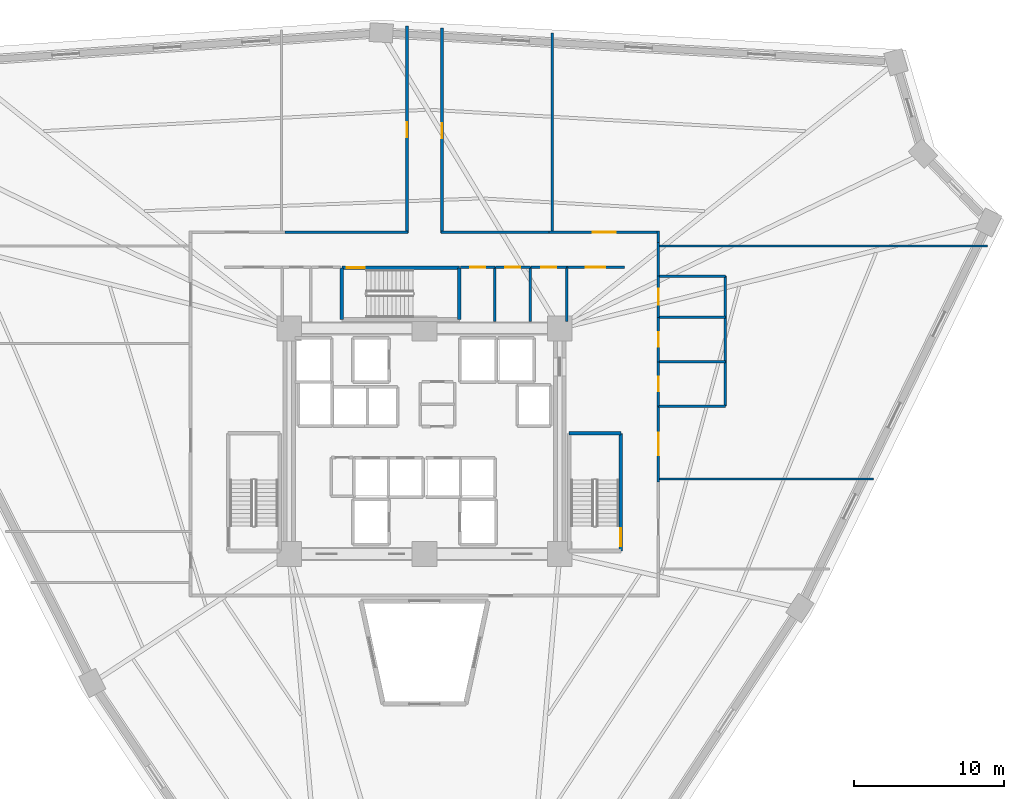
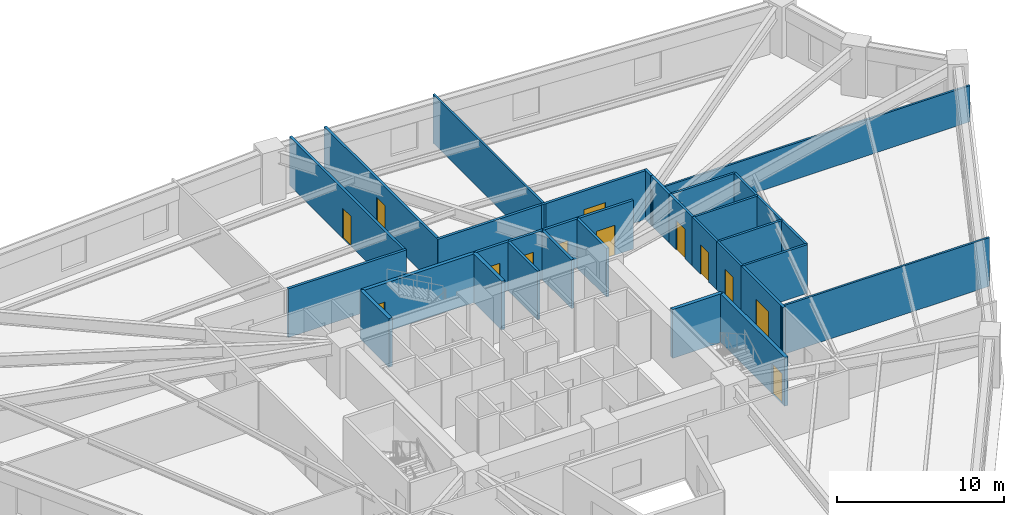
# One storey, part 6 of 8: 31 walls, 13 doors, 13 openings.
"""IFC4 building model written with IfcOpenShell, lengths in metres."""

from ifc_helpers import new_model, si_unit, direction, frame, frame_2d, origin, place, context, subcontext, project, spatial, rectangle, extrude, source, transform, mapped, material, layer, layer_set, type_object, element, fill, save


model = new_model("IFC4")

# Units and contexts
model_context = context("Model", 3, precision=1e-05, world=origin(), true_north=direction((0.0, 1.0)))
body_context = subcontext(model_context, "Body", "Model", "MODEL_VIEW")
ifc_project = project(units=[si_unit("LENGTHUNIT", "METRE"), si_unit("AREAUNIT", "SQUARE_METRE"), si_unit("VOLUMEUNIT", "CUBIC_METRE"), si_unit("PLANEANGLEUNIT", "RADIAN"), si_unit("MASSUNIT", "GRAM", prefix="KILO")], contexts=[model_context])

# Site, building, storey
site_placement = place(None, origin())
site = spatial("IfcSite", under=ifc_project, at=site_placement, CompositionType="ELEMENT")
building_placement = place(site_placement, origin())
building = spatial("IfcBuilding", under=site, at=building_placement, Name="Liaohun Quay Tower", CompositionType="ELEMENT")
storey_placement = place(building_placement, frame((0.0, 0.0, 85.5)))
storey = spatial("IfcBuildingStorey", under=building, at=storey_placement, Name="L22", CompositionType="ELEMENT", Elevation=85.5)

# Wall, opening, door
ifc_material_1 = material(Name="Autoclaved aerated concrete blockwork", Category="masonry")
ifc_layer_1 = layer(ifc_material_1, 0.179931640625, Name="Autoclaved aerated concrete blockwork", Category="masonry")
ifc_layer_set_1 = layer_set([ifc_layer_1], Name="Autoclaved aerated concrete blockwork")
wall_type_1 = type_object("IfcWallType", Name="WAL-PRT-COR", PredefinedType="PARTITIONING", material=ifc_layer_set_1)
wall_1_placement = place(storey_placement, frame((62.389892578125, 65.580078125, 0.0), z_axis=(0.0, 0.0, 1.0), x_axis=(1.0, 0.0, 0.0)))
wall_1 = element("IfcWall", 1, at=wall_1_placement, inside=storey, type_object=wall_type_1, Name="L22 Interior Partition Wall 009", PredefinedType="PARTITIONING", context=body_context, shape_type="SweptSolid", body=[
    extrude(rectangle(XDim=2.2900390625, YDim=0.179931640625, at=frame_2d((1.14501953125, 0.0))), origin(), (0.0, 0.0, 1.0), 3.570068359375),
])
shared_shape_1 = source(origin(), body_context, "Body", "SweptSolid", [
    extrude(rectangle(XDim=1.0, YDim=2.199951171875, at=frame_2d((0.5, 1.10009765625))), frame((0.0, 0.099853515625, 0.0), z_axis=(0.0, -1.0, 0.0), x_axis=(1.0, 0.0, 0.0)), (0.0, 0.0, 1.0), 0.199951171875),
])
opening_1_placement = place(wall_1_placement, frame((0.64501953125, 0.0, 0.0)))
opening_1 = element("IfcOpeningElement", 2, at=opening_1_placement, cuts=wall_1, Name="Opening OD1", PredefinedType="OPENING", context=body_context, shape_type="MappedRepresentation", body=[
    mapped(shared_shape_1, transform((0.0, 0.0, 0.0), x_axis=(1.0, 0.0, 0.0), y_axis=(0.0, 1.0, 0.0), z_axis=(0.0, 0.0, 1.0), scale=1.0)),
])
ifc_material_2 = material(Name="Solid-core oak veneer timber leaf in steel frame", Category="steel")
door_type_1 = type_object("IfcDoorType", Name="DOR-OFF-1000", OperationType="NOTDEFINED", PredefinedType="DOOR", material=ifc_material_2)
shared_shape_2 = source(origin(), body_context, "Body", "SweptSolid", [
    extrude(rectangle(XDim=1.0, YDim=2.199951171875, at=frame_2d((0.5, 1.10009765625))), frame((0.0, 0.02490234375, 0.0), z_axis=(0.0, -1.0, 0.0), x_axis=(1.0, 0.0, 0.0)), (0.0, 0.0, 1.0), 0.050048828125),
])
door_1_placement = place(opening_1_placement, origin())
door_1 = element("IfcDoor", 3, at=door_1_placement, inside=storey, type_object=door_type_1, Name="L22 North-East Mail Store Door", OperationType="SINGLE_SWING_LEFT", OverallHeight=2.199951171875, OverallWidth=1.0, PredefinedType="DOOR", context=body_context, shape_type="MappedRepresentation", body=[
    mapped(shared_shape_2, transform((0.0, 0.0, 0.0), x_axis=(1.0, 0.0, 0.0), y_axis=(0.0, 1.0, 0.0), z_axis=(0.0, 0.0, 1.0), scale=1.0)),
])
fill(opening_1, door_1)

wall_2_placement = place(storey_placement, frame((64.719970703125, 65.580078125, 0.0), z_axis=(0.0, 0.0, 1.0), x_axis=(1.0, 0.0, 0.0)))
wall_2 = element("IfcWall", 4, at=wall_2_placement, inside=storey, type_object=wall_type_1, Name="L22 Interior Partition Wall 010", PredefinedType="PARTITIONING", context=body_context, shape_type="SweptSolid", body=[
    extrude(rectangle(XDim=2.320068359375, YDim=0.179931640625, at=frame_2d((1.16015625, 0.0))), origin(), (0.0, 0.0, 1.0), 3.570068359375),
])
opening_2_placement = place(wall_2_placement, frame((0.659912109375, 0.0, 0.0)))
opening_2 = element("IfcOpeningElement", 5, at=opening_2_placement, cuts=wall_2, Name="Opening OD1", PredefinedType="OPENING", context=body_context, shape_type="MappedRepresentation", body=[
    mapped(shared_shape_1, transform((0.0, 0.0, 0.0), x_axis=(1.0, 0.0, 0.0), y_axis=(0.0, 1.0, 0.0), z_axis=(0.0, 0.0, 1.0), scale=1.0)),
])
door_2_placement = place(opening_2_placement, origin())
door_2 = element("IfcDoor", 6, at=door_2_placement, inside=storey, type_object=door_type_1, Name="L22 North-East Comms Room Door", OperationType="SINGLE_SWING_RIGHT", OverallHeight=2.199951171875, OverallWidth=1.0, PredefinedType="DOOR", context=body_context, shape_type="MappedRepresentation", body=[
    mapped(shared_shape_2, transform((0.0, 0.0, 0.0), x_axis=(1.0, 0.0, 0.0), y_axis=(0.0, 1.0, 0.0), z_axis=(0.0, 0.0, 1.0), scale=1.0)),
])
fill(opening_2, door_2)

wall_3_placement = place(storey_placement, frame((67.080078125, 65.580078125, 0.0), z_axis=(0.0, 0.0, 1.0), x_axis=(1.0, 0.0, 0.0)))
wall_3 = element("IfcWall", 7, at=wall_3_placement, inside=storey, type_object=wall_type_1, Name="L22 Interior Partition Wall 011", PredefinedType="PARTITIONING", context=body_context, shape_type="SweptSolid", body=[
    extrude(rectangle(XDim=2.3798828125, YDim=0.179931640625, at=frame_2d((1.18994140625, 0.0))), origin(), (0.0, 0.0, 1.0), 3.570068359375),
])
opening_3_placement = place(wall_3_placement, frame((0.68994140625, 0.0, 0.0)))
opening_3 = element("IfcOpeningElement", 8, at=opening_3_placement, cuts=wall_3, Name="Opening OD1", PredefinedType="OPENING", context=body_context, shape_type="MappedRepresentation", body=[
    mapped(shared_shape_1, transform((0.0, 0.0, 0.0), x_axis=(1.0, 0.0, 0.0), y_axis=(0.0, 1.0, 0.0), z_axis=(0.0, 0.0, 1.0), scale=1.0)),
])
door_3_placement = place(opening_3_placement, origin())
door_3 = element("IfcDoor", 9, at=door_3_placement, inside=storey, type_object=door_type_1, Name="L22 North-East Cleaner Store Door", OperationType="SINGLE_SWING_LEFT", OverallHeight=2.199951171875, OverallWidth=1.0, PredefinedType="DOOR", context=body_context, shape_type="MappedRepresentation", body=[
    mapped(shared_shape_2, transform((0.0, 0.0, 0.0), x_axis=(1.0, 0.0, 0.0), y_axis=(0.0, 1.0, 0.0), z_axis=(0.0, 0.0, 1.0), scale=1.0)),
])
fill(opening_3, door_3)

wall_4_placement = place(storey_placement, frame((69.4599609375, 65.580078125, 0.0), z_axis=(0.0, 0.0, 1.0), x_axis=(1.0, 0.0, 0.0)))
wall_4 = element("IfcWall", 10, at=wall_4_placement, inside=storey, type_object=wall_type_1, Name="L22 Interior Partition Wall 013", PredefinedType="PARTITIONING", context=body_context, shape_type="SweptSolid", body=[
    extrude(rectangle(XDim=3.840087890625, YDim=0.179931640625, at=frame_2d((1.919921875, 0.0))), origin(), (0.0, 0.0, 1.0), 3.570068359375),
])
shared_shape_3 = source(origin(), body_context, "Body", "SweptSolid", [
    extrude(rectangle(XDim=1.300048828125, YDim=2.199951171875, at=frame_2d((0.64990234375, 1.10009765625))), frame((0.0, 0.099853515625, 0.0), z_axis=(0.0, -1.0, 0.0), x_axis=(1.0, 0.0, 0.0)), (0.0, 0.0, 1.0), 0.199951171875),
])
opening_4_placement = place(wall_4_placement, frame((1.27001953125, 0.0, 0.0)))
opening_4 = element("IfcOpeningElement", 11, at=opening_4_placement, cuts=wall_4, Name="Opening FD1", PredefinedType="OPENING", context=body_context, shape_type="MappedRepresentation", body=[
    mapped(shared_shape_3, transform((0.0, 0.0, 0.0), x_axis=(1.0, 0.0, 0.0), y_axis=(0.0, 1.0, 0.0), z_axis=(0.0, 0.0, 1.0), scale=1.0)),
])
ifc_material_3 = material(Name="Galvanised steel smokeproof fire door", Category="steel")
door_type_2 = type_object("IfcDoorType", Name="DOR-FFL-1300", OperationType="NOTDEFINED", PredefinedType="DOOR", material=ifc_material_3)
shared_shape_4 = source(origin(), body_context, "Body", "SweptSolid", [
    extrude(rectangle(XDim=1.300048828125, YDim=2.199951171875, at=frame_2d((0.64990234375, 1.10009765625))), frame((0.0, 0.02490234375, 0.0), z_axis=(0.0, -1.0, 0.0), x_axis=(1.0, 0.0, 0.0)), (0.0, 0.0, 1.0), 0.050048828125),
])
door_4_placement = place(opening_4_placement, origin())
door_4 = element("IfcDoor", 12, at=door_4_placement, inside=storey, type_object=door_type_2, Name="L22 East Core Vestibule Door", OperationType="SINGLE_SWING_LEFT", OverallHeight=2.199951171875, OverallWidth=1.300048828125, PredefinedType="DOOR", context=body_context, shape_type="MappedRepresentation", body=[
    mapped(shared_shape_4, transform((0.0, 0.0, 0.0), x_axis=(1.0, 0.0, 0.0), y_axis=(0.0, 1.0, 0.0), z_axis=(0.0, 0.0, 1.0), scale=1.0)),
])
fill(opening_4, door_4)

wall_5_placement = place(storey_placement, frame((75.56005859375, 56.340087890625, 0.0), z_axis=(0.0, 0.0, 1.0), x_axis=(0.0, -1.0, 0.0)))
wall_5 = element("IfcWall", 13, at=wall_5_placement, inside=storey, type_object=wall_type_1, Name="L22 Interior Partition Wall 014", PredefinedType="PARTITIONING", context=body_context, shape_type="SweptSolid", body=[
    extrude(rectangle(XDim=5.05517578125, YDim=0.179931640625, at=frame_2d((2.527587890625, 0.0))), origin(), (0.0, 0.0, 1.0), 3.570068359375),
])
shared_shape_5 = source(origin(), body_context, "Body", "SweptSolid", [
    extrude(rectangle(XDim=1.5, YDim=2.199951171875, at=frame_2d((0.75, 1.10009765625))), frame((0.0, 0.099853515625, 0.0), z_axis=(0.0, -1.0, 0.0), x_axis=(1.0, 0.0, 0.0)), (0.0, 0.0, 1.0), 0.199951171875),
])
opening_5_placement = place(wall_5_placement, frame((1.778076171875, 0.0, 0.0)))
opening_5 = element("IfcOpeningElement", 14, at=opening_5_placement, cuts=wall_5, Name="Opening OD2", PredefinedType="OPENING", context=body_context, shape_type="MappedRepresentation", body=[
    mapped(shared_shape_5, transform((0.0, 0.0, 0.0), x_axis=(1.0, 0.0, 0.0), y_axis=(0.0, 1.0, 0.0), z_axis=(0.0, 0.0, 1.0), scale=1.0)),
])
ifc_material_4 = material(Name="Acoustic oak veneer double door")
door_type_3 = type_object("IfcDoorType", Name="DOR-OFF-1500", OperationType="DOUBLE_DOOR_SINGLE_SWING", PredefinedType="DOOR", material=ifc_material_4)
shared_shape_6 = source(origin(), body_context, "Body", "SweptSolid", [
    extrude(rectangle(XDim=1.5, YDim=2.199951171875, at=frame_2d((0.75, 1.10009765625))), frame((0.0, 0.02490234375, 0.0), z_axis=(0.0, -1.0, 0.0), x_axis=(1.0, 0.0, 0.0)), (0.0, 0.0, 1.0), 0.050048828125),
])
door_5_placement = place(opening_5_placement, origin())
door_5 = element("IfcDoor", 15, at=door_5_placement, inside=storey, type_object=door_type_3, Name="L22 Architectural Design Studio 01 Door", OperationType="DOUBLE_DOOR_SINGLE_SWING", OverallHeight=2.199951171875, OverallWidth=1.5, PredefinedType="DOOR", context=body_context, shape_type="MappedRepresentation", body=[
    mapped(shared_shape_6, transform((0.0, 0.0, 0.0), x_axis=(1.0, 0.0, 0.0), y_axis=(0.0, 1.0, 0.0), z_axis=(0.0, 0.0, 1.0), scale=1.0)),
])
fill(opening_5, door_5)

wall_6_placement = place(storey_placement, frame((68.284912109375, 67.909912109375, 0.0), z_axis=(0.0, 0.0, 1.0), x_axis=(1.0, 0.0, 0.0)))
wall_6 = element("IfcWall", 16, at=wall_6_placement, inside=storey, type_object=wall_type_1, Name="L22 Interior Partition Wall 015", PredefinedType="PARTITIONING", context=body_context, shape_type="SweptSolid", body=[
    extrude(rectangle(XDim=7.344970703125, YDim=0.179931640625, at=frame_2d((3.67236328125, 0.0))), origin(), (0.0, 0.0, 1.0), 3.570068359375),
])
opening_6_placement = place(wall_6_placement, frame((2.922119140625, 0.0, 0.0)))
opening_6 = element("IfcOpeningElement", 17, at=opening_6_placement, cuts=wall_6, Name="Opening OD2", PredefinedType="OPENING", context=body_context, shape_type="MappedRepresentation", body=[
    mapped(shared_shape_5, transform((0.0, 0.0, 0.0), x_axis=(1.0, 0.0, 0.0), y_axis=(0.0, 1.0, 0.0), z_axis=(0.0, 0.0, 1.0), scale=1.0)),
])
door_6_placement = place(opening_6_placement, origin())
door_6 = element("IfcDoor", 18, at=door_6_placement, inside=storey, type_object=door_type_3, Name="L22 Client Collaboration Lounge 02 Door", OperationType="DOUBLE_DOOR_SINGLE_SWING", OverallHeight=2.199951171875, OverallWidth=1.5, PredefinedType="DOOR", context=body_context, shape_type="MappedRepresentation", body=[
    mapped(shared_shape_6, transform((0.0, 0.0, 0.0), x_axis=(1.0, 0.0, 0.0), y_axis=(0.0, 1.0, 0.0), z_axis=(0.0, 0.0, 1.0), scale=1.0)),
])
fill(opening_6, door_6)

wall_7_placement = place(storey_placement, frame((61.159912109375, 81.47900390625, 0.0), z_axis=(0.0, 0.0, 1.0), x_axis=(0.0, -1.0, 0.0)))
wall_7 = element("IfcWall", 19, at=wall_7_placement, inside=storey, type_object=wall_type_1, Name="L22 Interior Partition Wall 016", PredefinedType="PARTITIONING", context=body_context, shape_type="SweptSolid", body=[
    extrude(rectangle(XDim=13.638916015625, YDim=0.179931640625, at=frame_2d((6.8193359375, 0.0))), origin(), (0.0, 0.0, 1.0), 3.570068359375),
])
opening_7_placement = place(wall_7_placement, frame((6.319091796875, 0.0, 0.0)))
opening_7 = element("IfcOpeningElement", 20, at=opening_7_placement, cuts=wall_7, Name="Opening OD1", PredefinedType="OPENING", context=body_context, shape_type="MappedRepresentation", body=[
    mapped(shared_shape_1, transform((0.0, 0.0, 0.0), x_axis=(1.0, 0.0, 0.0), y_axis=(0.0, 1.0, 0.0), z_axis=(0.0, 0.0, 1.0), scale=1.0)),
])
door_7_placement = place(opening_7_placement, origin())
door_7 = element("IfcDoor", 21, at=door_7_placement, inside=storey, type_object=door_type_1, Name="L22 Architectural Design Studio 03 Door", OperationType="SINGLE_SWING_RIGHT", OverallHeight=2.199951171875, OverallWidth=1.0, PredefinedType="DOOR", context=body_context, shape_type="MappedRepresentation", body=[
    mapped(shared_shape_2, transform((0.0, 0.0, 0.0), x_axis=(1.0, 0.0, 0.0), y_axis=(0.0, 1.0, 0.0), z_axis=(0.0, 0.0, 1.0), scale=1.0)),
])
fill(opening_7, door_7)

wall_8_placement = place(storey_placement, frame((58.840087890625, 67.840087890625, 0.0), z_axis=(0.0, 0.0, 1.0), x_axis=(0.0, 1.0, 0.0)))
wall_8 = element("IfcWall", 22, at=wall_8_placement, inside=storey, type_object=wall_type_1, Name="L22 Interior Partition Wall 017", PredefinedType="PARTITIONING", context=body_context, shape_type="SweptSolid", body=[
    extrude(rectangle(XDim=13.77099609375, YDim=0.179931640625, at=frame_2d((6.885498046875, 0.0))), origin(), (0.0, 0.0, 1.0), 3.570068359375),
])
opening_8_placement = place(wall_8_placement, frame((6.385986328125, 0.0, 0.0)))
opening_8 = element("IfcOpeningElement", 23, at=opening_8_placement, cuts=wall_8, Name="Opening OD1", PredefinedType="OPENING", context=body_context, shape_type="MappedRepresentation", body=[
    mapped(shared_shape_1, transform((0.0, 0.0, 0.0), x_axis=(1.0, 0.0, 0.0), y_axis=(0.0, 1.0, 0.0), z_axis=(0.0, 0.0, 1.0), scale=1.0)),
])
door_8_placement = place(opening_8_placement, origin())
door_8 = element("IfcDoor", 24, at=door_8_placement, inside=storey, type_object=door_type_1, Name="L22 Project Collaboration Studio 04 Door", OperationType="SINGLE_SWING_LEFT", OverallHeight=2.199951171875, OverallWidth=1.0, PredefinedType="DOOR", context=body_context, shape_type="MappedRepresentation", body=[
    mapped(shared_shape_2, transform((0.0, 0.0, 0.0), x_axis=(1.0, 0.0, 0.0), y_axis=(0.0, 1.0, 0.0), z_axis=(0.0, 0.0, 1.0), scale=1.0)),
])
fill(opening_8, door_8)

# Walls
for number, where, z_axis, x_axis, name in (
    (25, (64.679931640625, 61.949951171875, 0.0), (0.0, 0.0, 1.0), (0.0, 1.0, 0.0), "L22 Interior Partition Wall 036"),
    (26, (67.0400390625, 61.949951171875, 0.0), (0.0, 0.0, 1.0), (0.0, 1.0, 0.0), "L22 Interior Partition Wall 037"),
    (27, (69.4599609375, 61.949951171875, 0.0), (0.0, 0.0, 1.0), (0.0, 1.0, 0.0), "L22 Interior Partition Wall 038"),
):
    element("IfcWall", number, at=place(storey_placement, frame(where, z_axis=z_axis, x_axis=x_axis)), inside=storey, type_object=wall_type_1, Name=name, PredefinedType="PARTITIONING", context=body_context, shape_type="SweptSolid", body=[
        extrude(rectangle(XDim=3.630126953125, YDim=0.179931640625, at=frame_2d((1.81494140625, 0.0))), origin(), (0.0, 0.0, 1.0), 3.570068359375),
    ])
wall_9_placement = place(storey_placement, frame((75.56005859375, 67.215087890625, 0.0), z_axis=(0.0, 0.0, 1.0), x_axis=(0.0, -1.0, 0.0)))
element("IfcWall", 28, at=wall_9_placement, inside=storey, type_object=wall_type_1, Name="L22 Interior Partition Wall 039", PredefinedType="PARTITIONING", context=body_context, shape_type="SweptSolid", body=[
    extrude(rectangle(XDim=2.235107421875, YDim=0.179931640625, at=frame_2d((1.11767578125, 0.0))), origin(), (0.0, 0.0, 1.0), 3.570068359375),
])
wall_10_placement = place(storey_placement, frame((75.56005859375, 67.97998046875, 0.0), z_axis=(0.0, 0.0, 1.0), x_axis=(0.0, -1.0, 0.0)))
element("IfcWall", 29, at=wall_10_placement, inside=storey, type_object=wall_type_1, Name="L22 Interior Partition Wall 040", PredefinedType="PARTITIONING", context=body_context, shape_type="SweptSolid", body=[
    extrude(rectangle(XDim=0.764892578125, YDim=0.179931640625, at=frame_2d((0.38232421875, 0.0))), origin(), (0.0, 0.0, 1.0), 3.570068359375),
])
wall_11_placement = place(storey_placement, frame((61.090087890625, 67.909912109375, 0.0), z_axis=(0.0, 0.0, 1.0), x_axis=(1.0, 0.0, 0.0)))
element("IfcWall", 30, at=wall_11_placement, inside=storey, type_object=wall_type_1, Name="L22 Interior Partition Wall 041", PredefinedType="PARTITIONING", context=body_context, shape_type="SweptSolid", body=[
    extrude(rectangle(XDim=7.19482421875, YDim=0.179931640625, at=frame_2d((3.597412109375, 0.0))), origin(), (0.0, 0.0, 1.0), 3.570068359375),
])
wall_12_placement = place(storey_placement, frame((50.715087890625, 67.909912109375, 0.0), z_axis=(0.0, 0.0, 1.0), x_axis=(1.0, 0.0, 0.0)))
element("IfcWall", 31, at=wall_12_placement, inside=storey, type_object=wall_type_1, Name="L22 Interior Partition Wall 042", PredefinedType="PARTITIONING", context=body_context, shape_type="SweptSolid", body=[
    extrude(rectangle(XDim=8.19482421875, YDim=0.179931640625, at=frame_2d((4.097412109375, 0.0))), origin(), (0.0, 0.0, 1.0), 3.570068359375),
])
ifc_material_5 = material(Name="Gypsum board on twin steel studs", Category="steel")
ifc_layer_2 = layer(ifc_material_5, 0.139892578125, Name="Gypsum board on twin steel studs", Category="steel")
ifc_layer_set_2 = layer_set([ifc_layer_2], Name="Gypsum board on twin steel studs")
wall_type_2 = type_object("IfcWallType", Name="WAL-PRT-OFF", PredefinedType="PARTITIONING", material=ifc_layer_set_2)
wall_13_placement = place(storey_placement, frame((75.4599609375, 51.5, 0.0), z_axis=(0.0, 0.0, 1.0), x_axis=(1.0, 0.0, 0.0)))
element("IfcWall", 32, at=wall_13_placement, inside=storey, type_object=wall_type_2, Name="L22 Interior Partition Wall 051", PredefinedType="PARTITIONING", context=body_context, shape_type="SweptSolid", body=[
    extrude(rectangle(XDim=14.4169921875, YDim=0.139892578125, at=frame_2d((7.20849609375, 0.0))), origin(), (0.0, 0.0, 1.0), 3.570068359375),
])
wall_14_placement = place(storey_placement, frame((75.4599609375, 67.0, 0.0), z_axis=(0.0, 0.0, 1.0), x_axis=(1.0, 0.0, 0.0)))
element("IfcWall", 33, at=wall_14_placement, inside=storey, type_object=wall_type_2, Name="L22 Interior Partition Wall 052", PredefinedType="PARTITIONING", context=body_context, shape_type="SweptSolid", body=[
    extrude(rectangle(XDim=22.008056640625, YDim=0.139892578125, at=frame_2d((11.00390625, 0.0))), origin(), (0.0, 0.0, 1.0), 2.655029296875),
])
wall_15_placement = place(storey_placement, frame((68.5, 67.81005859375, 0.0), z_axis=(0.0, 0.0, 1.0), x_axis=(0.0, 1.0, 0.0)))
element("IfcWall", 34, at=wall_15_placement, inside=storey, type_object=wall_type_2, Name="L22 Interior Partition Wall 054", PredefinedType="PARTITIONING", context=body_context, shape_type="SweptSolid", body=[
    extrude(rectangle(XDim=13.3408203125, YDim=0.139892578125, at=frame_2d((6.67041015625, 0.0))), origin(), (0.0, 0.0, 1.0), 3.570068359375),
])

# Wall, opening, door
ifc_material_6 = material(Name="Moisture-resistant masonry blockwork", Category="masonry")
ifc_layer_3 = layer(ifc_material_6, 0.159912109375, Name="Moisture-resistant masonry blockwork", Category="masonry")
ifc_layer_set_3 = layer_set([ifc_layer_3], Name="Moisture-resistant masonry blockwork")
wall_type_3 = type_object("IfcWallType", Name="WAL-PRT-WET", PredefinedType="PARTITIONING", material=ifc_layer_set_3)
wall_16_placement = place(storey_placement, frame((75.56005859375, 56.340087890625, 0.0), z_axis=(0.0, 0.0, 1.0), x_axis=(0.0, 1.0, 0.0)))
wall_16 = element("IfcWall", 35, at=wall_16_placement, inside=storey, type_object=wall_type_3, Name="L22 Interior Partition Wall 004", PredefinedType="PARTITIONING", context=body_context, shape_type="SweptSolid", body=[
    extrude(rectangle(XDim=2.93994140625, YDim=0.159912109375, at=frame_2d((1.469970703125, 0.0))), origin(), (0.0, 0.0, 1.0), 3.570068359375),
])
shared_shape_7 = source(origin(), body_context, "Body", "SweptSolid", [
    extrude(rectangle(XDim=0.949951171875, YDim=2.14990234375, at=frame_2d((0.47509765625, 1.074951171875))), frame((0.0, 0.08984375, 0.0), z_axis=(0.0, -1.0, 0.0), x_axis=(1.0, 0.0, 0.0)), (0.0, 0.0, 1.0), 0.179931640625),
])
opening_9_placement = place(wall_16_placement, frame((0.9951171875, 0.0, 0.0)))
opening_9 = element("IfcOpeningElement", 36, at=opening_9_placement, cuts=wall_16, Name="Opening WD1", PredefinedType="OPENING", context=body_context, shape_type="MappedRepresentation", body=[
    mapped(shared_shape_7, transform((0.0, 0.0, 0.0), x_axis=(1.0, 0.0, 0.0), y_axis=(0.0, 1.0, 0.0), z_axis=(0.0, 0.0, 1.0), scale=1.0)),
])
ifc_material_7 = material(Name="Moisture-resistant laminate timber leaf", Category="wood")
door_type_4 = type_object("IfcDoorType", Name="DOR-WC-950", OperationType="NOTDEFINED", PredefinedType="DOOR", material=ifc_material_7)
shared_shape_8 = source(origin(), body_context, "Body", "SweptSolid", [
    extrude(rectangle(XDim=0.949951171875, YDim=2.14990234375, at=frame_2d((0.47509765625, 1.074951171875))), frame((0.0, 0.02490234375, 0.0), z_axis=(0.0, -1.0, 0.0), x_axis=(1.0, 0.0, 0.0)), (0.0, 0.0, 1.0), 0.050048828125),
])
door_9_placement = place(opening_9_placement, origin())
door_9 = element("IfcDoor", 37, at=door_9_placement, inside=storey, type_object=door_type_4, Name="L22 Male Restroom WC Door", OperationType="SINGLE_SWING_RIGHT", OverallHeight=2.14990234375, OverallWidth=0.949951171875, PredefinedType="DOOR", context=body_context, shape_type="MappedRepresentation", body=[
    mapped(shared_shape_8, transform((0.0, 0.0, 0.0), x_axis=(1.0, 0.0, 0.0), y_axis=(0.0, 1.0, 0.0), z_axis=(0.0, 0.0, 1.0), scale=1.0)),
])
fill(opening_9, door_9)

wall_17_placement = place(storey_placement, frame((75.56005859375, 59.280029296875, 0.0), z_axis=(0.0, 0.0, 1.0), x_axis=(0.0, 1.0, 0.0)))
wall_17 = element("IfcWall", 38, at=wall_17_placement, inside=storey, type_object=wall_type_3, Name="L22 Interior Partition Wall 005", PredefinedType="PARTITIONING", context=body_context, shape_type="SweptSolid", body=[
    extrude(rectangle(XDim=2.9599609375, YDim=0.159912109375, at=frame_2d((1.47998046875, 0.0))), origin(), (0.0, 0.0, 1.0), 3.570068359375),
])
opening_10_placement = place(wall_17_placement, frame((1.0048828125, 0.0, 0.0)))
opening_10 = element("IfcOpeningElement", 39, at=opening_10_placement, cuts=wall_17, Name="Opening WD1", PredefinedType="OPENING", context=body_context, shape_type="MappedRepresentation", body=[
    mapped(shared_shape_7, transform((0.0, 0.0, 0.0), x_axis=(1.0, 0.0, 0.0), y_axis=(0.0, 1.0, 0.0), z_axis=(0.0, 0.0, 1.0), scale=1.0)),
])
door_10_placement = place(opening_10_placement, origin())
door_10 = element("IfcDoor", 40, at=door_10_placement, inside=storey, type_object=door_type_4, Name="L22 Female Restroom WC Door", OperationType="SINGLE_SWING_LEFT", OverallHeight=2.14990234375, OverallWidth=0.949951171875, PredefinedType="DOOR", context=body_context, shape_type="MappedRepresentation", body=[
    mapped(shared_shape_8, transform((0.0, 0.0, 0.0), x_axis=(1.0, 0.0, 0.0), y_axis=(0.0, 1.0, 0.0), z_axis=(0.0, 0.0, 1.0), scale=1.0)),
])
fill(opening_10, door_10)

wall_18_placement = place(storey_placement, frame((75.56005859375, 62.239990234375, 0.0), z_axis=(0.0, 0.0, 1.0), x_axis=(0.0, 1.0, 0.0)))
wall_18 = element("IfcWall", 41, at=wall_18_placement, inside=storey, type_object=wall_type_3, Name="L22 Interior Partition Wall 006", PredefinedType="PARTITIONING", context=body_context, shape_type="SweptSolid", body=[
    extrude(rectangle(XDim=2.739990234375, YDim=0.159912109375, at=frame_2d((1.3701171875, 0.0))), origin(), (0.0, 0.0, 1.0), 3.570068359375),
])
shared_shape_9 = source(origin(), body_context, "Body", "SweptSolid", [
    extrude(rectangle(XDim=1.050048828125, YDim=2.14990234375, at=frame_2d((0.52490234375, 1.074951171875))), frame((0.0, 0.08984375, 0.0), z_axis=(0.0, -1.0, 0.0), x_axis=(1.0, 0.0, 0.0)), (0.0, 0.0, 1.0), 0.179931640625),
])
opening_11_placement = place(wall_18_placement, frame((0.844970703125, 0.0, 0.0)))
opening_11 = element("IfcOpeningElement", 42, at=opening_11_placement, cuts=wall_18, Name="Opening WD2", PredefinedType="OPENING", context=body_context, shape_type="MappedRepresentation", body=[
    mapped(shared_shape_9, transform((0.0, 0.0, 0.0), x_axis=(1.0, 0.0, 0.0), y_axis=(0.0, 1.0, 0.0), z_axis=(0.0, 0.0, 1.0), scale=1.0)),
])
ifc_material_8 = material(Name="Accessible outward-swinging laminate door")
door_type_5 = type_object("IfcDoorType", Name="DOR-AWC-1050", OperationType="NOTDEFINED", PredefinedType="DOOR", material=ifc_material_8)
shared_shape_10 = source(origin(), body_context, "Body", "SweptSolid", [
    extrude(rectangle(XDim=1.050048828125, YDim=2.14990234375, at=frame_2d((0.52490234375, 1.074951171875))), frame((0.0, 0.02490234375, 0.0), z_axis=(0.0, -1.0, 0.0), x_axis=(1.0, 0.0, 0.0)), (0.0, 0.0, 1.0), 0.050048828125),
])
door_11_placement = place(opening_11_placement, origin())
door_11 = element("IfcDoor", 43, at=door_11_placement, inside=storey, type_object=door_type_5, Name="L22 Accessible WC Door", OperationType="SINGLE_SWING_RIGHT", OverallHeight=2.14990234375, OverallWidth=1.050048828125, PredefinedType="DOOR", context=body_context, shape_type="MappedRepresentation", body=[
    mapped(shared_shape_10, transform((0.0, 0.0, 0.0), x_axis=(1.0, 0.0, 0.0), y_axis=(0.0, 1.0, 0.0), z_axis=(0.0, 0.0, 1.0), scale=1.0)),
])
fill(opening_11, door_11)

# Walls
wall_19_placement = place(storey_placement, frame((80.02001953125, 56.340087890625, 0.0), z_axis=(0.0, 0.0, 1.0), x_axis=(0.0, 1.0, 0.0)))
element("IfcWall", 44, at=wall_19_placement, inside=storey, type_object=wall_type_3, Name="L22 Interior Partition Wall 029", PredefinedType="PARTITIONING", context=body_context, shape_type="SweptSolid", body=[
    extrude(rectangle(XDim=8.639892578125, YDim=0.159912109375, at=frame_2d((4.31982421875, 0.0))), origin(), (0.0, 0.0, 1.0), 3.570068359375),
])
for number, where, z_axis, x_axis, name in (
    (45, (75.56005859375, 56.340087890625, 0.0), (0.0, 0.0, 1.0), (1.0, 0.0, 0.0), "L22 Interior Partition Wall 030"),
    (46, (75.56005859375, 59.280029296875, 0.0), (0.0, 0.0, 1.0), (1.0, 0.0, 0.0), "L22 Interior Partition Wall 031"),
    (47, (75.56005859375, 62.239990234375, 0.0), (0.0, 0.0, 1.0), (1.0, 0.0, 0.0), "L22 Interior Partition Wall 032"),
    (48, (75.56005859375, 64.97998046875, 0.0), (0.0, 0.0, 1.0), (1.0, 0.0, 0.0), "L22 Interior Partition Wall 033"),
):
    element("IfcWall", number, at=place(storey_placement, frame(where, z_axis=z_axis, x_axis=x_axis)), inside=storey, type_object=wall_type_3, Name=name, PredefinedType="PARTITIONING", context=body_context, shape_type="SweptSolid", body=[
        extrude(rectangle(XDim=4.4599609375, YDim=0.159912109375, at=frame_2d((2.22998046875, 0.0))), origin(), (0.0, 0.0, 1.0), 3.570068359375),
    ])

# Wall, opening, door
ifc_material_9 = material(Name="Concrete C50", Category="concrete")
ifc_layer_4 = layer(ifc_material_9, 0.239990234375, Name="Concrete C50", Category="concrete")
ifc_layer_set_4 = layer_set([ifc_layer_4], Name="Concrete C50")
wall_type_4 = type_object("IfcWallType", Name="WAL-SHF-200", PredefinedType="SOLIDWALL", material=ifc_layer_set_4)
wall_20_placement = place(storey_placement, frame((73.06005859375, 46.699951171875, 0.0), z_axis=(0.0, 0.0, 1.0), x_axis=(0.0, 1.0, 0.0)))
wall_20 = element("IfcWall", 49, at=wall_20_placement, inside=storey, type_object=wall_type_4, Name="L22 Stairwell ST-2 Structural Core Wall E", PredefinedType="SOLIDWALL", context=body_context, shape_type="SweptSolid", body=[
    extrude(rectangle(XDim=7.820068359375, YDim=0.239990234375, at=frame_2d((3.91015625, 0.0))), origin(), (0.0, 0.0, 1.0), 3.570068359375),
])
shared_shape_11 = source(origin(), body_context, "Body", "SweptSolid", [
    extrude(rectangle(XDim=1.199951171875, YDim=2.199951171875, at=frame_2d((0.60009765625, 1.10009765625))), frame((0.0, 0.1298828125, 0.0), z_axis=(0.0, -1.0, 0.0), x_axis=(1.0, 0.0, 0.0)), (0.0, 0.0, 1.0), 0.260009765625),
])
opening_12_placement = place(wall_20_placement, frame((0.320068359375, 0.0, 0.0)))
opening_12 = element("IfcOpeningElement", 50, at=opening_12_placement, cuts=wall_20, Name="Opening SD1", PredefinedType="OPENING", context=body_context, shape_type="MappedRepresentation", body=[
    mapped(shared_shape_11, transform((0.0, 0.0, 0.0), x_axis=(1.0, 0.0, 0.0), y_axis=(0.0, 1.0, 0.0), z_axis=(0.0, 0.0, 1.0), scale=1.0)),
])
ifc_material_10 = material(Name="Galvanised steel fire door", Category="steel")
door_type_6 = type_object("IfcDoorType", Name="DOR-STR-1200", OperationType="NOTDEFINED", PredefinedType="DOOR", material=ifc_material_10)
shared_shape_12 = source(origin(), body_context, "Body", "SweptSolid", [
    extrude(rectangle(XDim=1.199951171875, YDim=2.199951171875, at=frame_2d((0.60009765625, 1.10009765625))), frame((0.0, 0.02490234375, 0.0), z_axis=(0.0, -1.0, 0.0), x_axis=(1.0, 0.0, 0.0)), (0.0, 0.0, 1.0), 0.050048828125),
])
door_12_placement = place(opening_12_placement, origin())
door_12 = element("IfcDoor", 51, at=door_12_placement, inside=storey, type_object=door_type_6, Name="L22 Protected Stair ST-2 Fire Door", OperationType="SINGLE_SWING_RIGHT", OverallHeight=2.199951171875, OverallWidth=1.199951171875, PredefinedType="DOOR", context=body_context, shape_type="MappedRepresentation", body=[
    mapped(shared_shape_12, transform((0.0, 0.0, 0.0), x_axis=(1.0, 0.0, 0.0), y_axis=(0.0, 1.0, 0.0), z_axis=(0.0, 0.0, 1.0), scale=1.0)),
])
fill(opening_12, door_12)

# Walls
for number, where, z_axis, x_axis, name in (
    (52, (73.06005859375, 54.52001953125, 0.0), (0.0, 0.0, 1.0), (-1.0, 0.0, 0.0), "L22 Stairwell ST-2 Structural Core Wall N"),
    (53, (62.320068359375, 62.10009765625, 0.0), (0.0, 0.0, 1.0), (0.0, 1.0, 0.0), "L22 Stairwell ST-3 Structural Core Wall E"),
):
    element("IfcWall", number, at=place(storey_placement, frame(where, z_axis=z_axis, x_axis=x_axis)), inside=storey, type_object=wall_type_4, Name=name, PredefinedType="SOLIDWALL", context=body_context, shape_type="SweptSolid", body=[
        extrude(rectangle(XDim=3.43994140625, YDim=0.239990234375, at=frame_2d((1.719970703125, 0.0))), origin(), (0.0, 0.0, 1.0), 3.570068359375),
    ])

# Wall, opening, door
wall_21_placement = place(storey_placement, frame((62.320068359375, 65.5400390625, 0.0), z_axis=(0.0, 0.0, 1.0), x_axis=(-1.0, 0.0, 0.0)))
wall_21 = element("IfcWall", 54, at=wall_21_placement, inside=storey, type_object=wall_type_4, Name="L22 Stairwell ST-3 Structural Core Wall N", PredefinedType="SOLIDWALL", context=body_context, shape_type="SweptSolid", body=[
    extrude(rectangle(XDim=7.820068359375, YDim=0.239990234375, at=frame_2d((3.91015625, 0.0))), origin(), (0.0, 0.0, 1.0), 3.570068359375),
])
opening_13_placement = place(wall_21_placement, frame((6.300048828125, 0.0, 0.0)))
opening_13 = element("IfcOpeningElement", 55, at=opening_13_placement, cuts=wall_21, Name="Opening SD1", PredefinedType="OPENING", context=body_context, shape_type="MappedRepresentation", body=[
    mapped(shared_shape_11, transform((0.0, 0.0, 0.0), x_axis=(1.0, 0.0, 0.0), y_axis=(0.0, 1.0, 0.0), z_axis=(0.0, 0.0, 1.0), scale=1.0)),
])
door_13_placement = place(opening_13_placement, origin())
door_13 = element("IfcDoor", 56, at=door_13_placement, inside=storey, type_object=door_type_6, Name="L22 Protected Stair ST-3 Fire Door", OperationType="SINGLE_SWING_RIGHT", OverallHeight=2.199951171875, OverallWidth=1.199951171875, PredefinedType="DOOR", context=body_context, shape_type="MappedRepresentation", body=[
    mapped(shared_shape_12, transform((0.0, 0.0, 0.0), x_axis=(1.0, 0.0, 0.0), y_axis=(0.0, 1.0, 0.0), z_axis=(0.0, 0.0, 1.0), scale=1.0)),
])
fill(opening_13, door_13)

# Wall
wall_22_placement = place(storey_placement, frame((54.5, 65.5400390625, 0.0), z_axis=(0.0, 0.0, 1.0), x_axis=(0.0, -1.0, 0.0)))
element("IfcWall", 57, at=wall_22_placement, inside=storey, type_object=wall_type_4, Name="L22 Stairwell ST-3 Structural Core Wall W", PredefinedType="SOLIDWALL", context=body_context, shape_type="SweptSolid", body=[
    extrude(rectangle(XDim=3.43994140625, YDim=0.239990234375, at=frame_2d((1.719970703125, 0.0))), origin(), (0.0, 0.0, 1.0), 3.570068359375),
])

save(model, "model.ifc")
